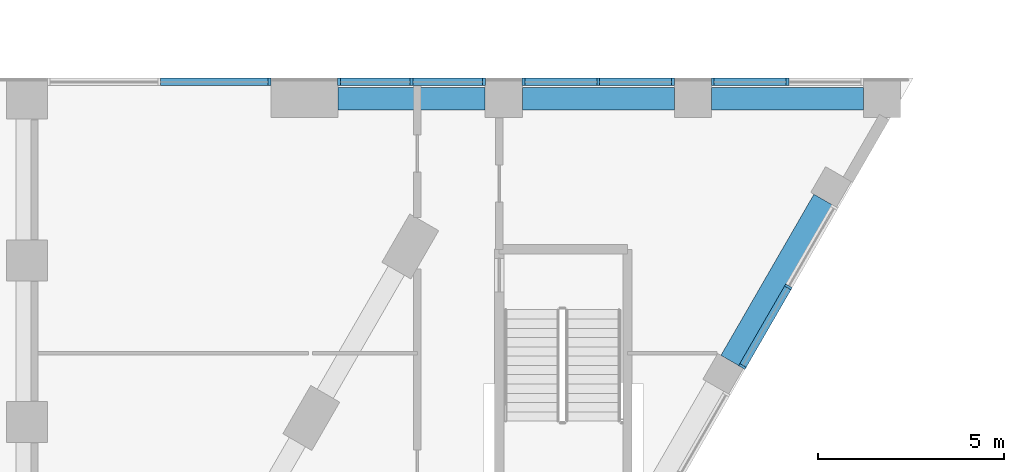
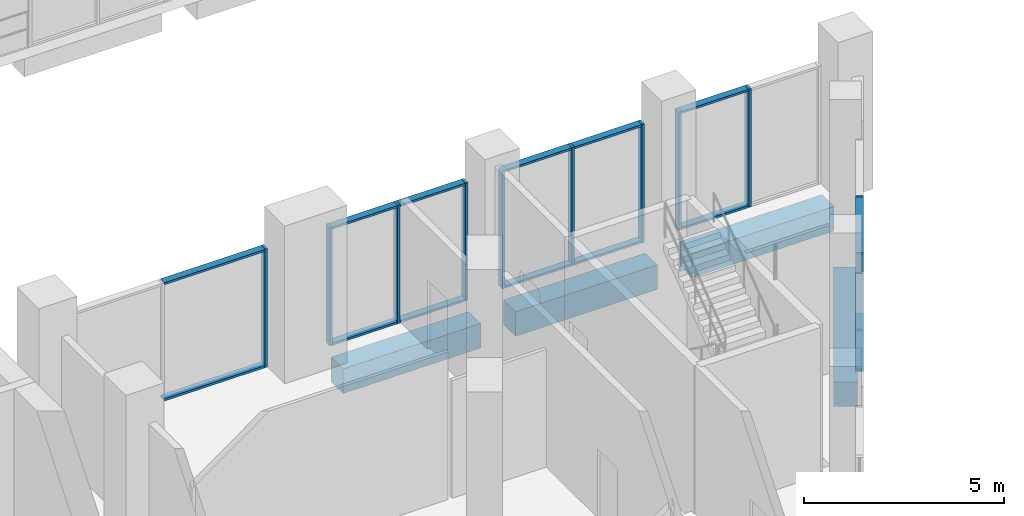
# One storey, part 4 of 45: 25 members, 4 beams, 5 elements without a shape of their own.
"""IFC4 building model written with IfcOpenShell, lengths in metres."""

import ifcopenshell
import ifcopenshell.guid

model = None  # the IFC model being written
_history = None  # IfcOwnerHistory: only IFC2X3 demands one
_inside = {}  # id of a spatial element -> (the spatial element, [elements in it])
_under = {}  # id of a project, library or spatial element -> (it, [spatial elements below it])
_declared = {}  # id of a project -> (the project, [libraries it declares])
_typed = {}  # id of a type object -> (the type object, [elements of that type])
_made_of = {}  # id of a material, layer set ... -> (it, [elements and type objects made of it])


def new_model(schema):
    """Start an empty IFC model of exactly this schema.

    Asked for "IFC4X3", IfcOpenShell would pick the latest addendum, in which some entities
    have other attributes; the version numbers below select the first issue.
    IFC2X3 requires an IfcOwnerHistory on every rooted entity: one is made here for all.
    """
    global model, _history
    if schema == "IFC4X3":
        model = ifcopenshell.file(schema_version=(4, 3, 0, 0))
    else:
        model = ifcopenshell.file(schema=schema)
    _inside.clear()
    _under.clear()
    _declared.clear()
    _typed.clear()
    _made_of.clear()
    _history = None
    if model.schema == "IFC2X3":
        org = make("IfcOrganization", Name="unknown")
        user = make(
            "IfcPersonAndOrganization",
            ThePerson=make("IfcPerson", FamilyName="unknown"),
            TheOrganization=org,
        )
        app = make(
            "IfcApplication",
            ApplicationDeveloper=org,
            Version="unknown",
            ApplicationFullName="unknown",
            ApplicationIdentifier="unknown",
        )
        _history = make(
            "IfcOwnerHistory",
            OwningUser=user,
            OwningApplication=app,
            ChangeAction="ADDED",
            CreationDate=0,
        )
    return model


def make(cls, **values):
    """One entity of the class cls with the attributes given. An attribute that is None is left unset."""
    return model.create_entity(
        cls, **{name: value for name, value in values.items() if value is not None}
    )


def rooted(cls, **values):
    """An entity with a GlobalId (a new one), such as an element, a storey or a relation."""
    return make(cls, GlobalId=ifcopenshell.guid.new(), OwnerHistory=_history, **values)


def si_unit(unit_type, name, prefix=None):
    """IfcSIUnit, for example si_unit("LENGTHUNIT", "METRE", prefix="MILLI")."""
    return make("IfcSIUnit", UnitType=unit_type, Prefix=prefix, Name=name)


def assignment(units):
    """IfcUnitAssignment: the units of a project."""
    return None if units is None else make("IfcUnitAssignment", Units=units)


def point(xyz):
    """IfcCartesianPoint."""
    return None if xyz is None else make("IfcCartesianPoint", Coordinates=xyz)


def direction(xyz):
    """IfcDirection."""
    return None if xyz is None else make("IfcDirection", DirectionRatios=xyz)


def frame(location, z_axis=None, x_axis=None):
    """IfcAxis2Placement3D, a coordinate frame: its origin and axes. An axis left out is left unset."""
    return make(
        "IfcAxis2Placement3D",
        Location=point(location),
        Axis=direction(z_axis),
        RefDirection=direction(x_axis),
    )


def frame_2d(location, x_axis=None):
    """IfcAxis2Placement2D, a coordinate frame in the plane: its origin and x axis."""
    return make(
        "IfcAxis2Placement2D", Location=point(location), RefDirection=direction(x_axis)
    )


def origin():
    """The frame at (0, 0, 0) with its axes left unset."""
    return frame((0.0, 0.0, 0.0))


def origin_2d():
    """The frame at (0, 0) in the plane with its x axis left unset."""
    return frame_2d((0.0, 0.0))


def place(relative_to, where):
    """IfcLocalPlacement: puts the frame where relative to a parent placement (None: the world)."""
    return make(
        "IfcLocalPlacement", PlacementRelTo=relative_to, RelativePlacement=where
    )


def context(
    kind, dimensions, precision=None, world=None, true_north=None, identifier=None
):
    """IfcGeometricRepresentationContext, for example the 3D "Model" context."""
    return make(
        "IfcGeometricRepresentationContext",
        ContextIdentifier=identifier,
        ContextType=kind,
        CoordinateSpaceDimension=dimensions,
        Precision=precision,
        WorldCoordinateSystem=world,
        TrueNorth=true_north,
    )


def subcontext(parent, identifier, kind, view, scale=None):
    """IfcGeometricRepresentationSubContext, for example "Body" below "Model"."""
    return make(
        "IfcGeometricRepresentationSubContext",
        ContextIdentifier=identifier,
        ContextType=kind,
        ParentContext=parent,
        TargetScale=scale,
        TargetView=view,
    )


def project(units=None, contexts=None):
    """IfcProject with its units and contexts."""
    return rooted(
        "IfcProject",
        Name="project",
        RepresentationContexts=contexts,
        UnitsInContext=assignment(units),
    )


def spatial(cls, under=None, at=None, **own):
    """A site, building, storey or space (cls), placed at a placement, below another one or the project."""
    s = rooted(cls, ObjectPlacement=at, **own)
    if under is not None:
        _under.setdefault(under.id(), (under, []))[1].append(s)
    return s


def profile(cls, at=None, kind="AREA", **sizes):
    """A parametric profile (cls). Its sizes go by their IFC names, for example OverallWidth=200.0."""
    return make(cls, ProfileType=kind, Position=at, **sizes)


def rectangle(**sizes):
    """IfcRectangleProfileDef."""
    return profile("IfcRectangleProfileDef", **sizes)


def extrude(swept, where, along, depth):
    """IfcExtrudedAreaSolid: the profile swept, set in the frame where, extruded along a direction by depth."""
    return make(
        "IfcExtrudedAreaSolid",
        SweptArea=swept,
        Position=where,
        ExtrudedDirection=direction(along),
        Depth=depth,
    )


def shape(context_of_items, identifier, shape_type, items):
    """IfcShapeRepresentation: the items that make up one representation, for example the "Body"."""
    return make(
        "IfcShapeRepresentation",
        ContextOfItems=context_of_items,
        RepresentationIdentifier=identifier,
        RepresentationType=shape_type,
        Items=items,
    )


def material(Name=None, Category=None):
    """IfcMaterial."""
    return make("IfcMaterial", Name=Name, Category=Category)


def layer(
    of_material, thickness, ventilated=None, Name=None, Category=None, Priority=None
):
    """IfcMaterialLayer: one layer of a wall or slab, of a material (None: an air gap)."""
    return make(
        "IfcMaterialLayer",
        Material=of_material,
        LayerThickness=thickness,
        IsVentilated=ventilated,
        Name=Name,
        Category=Category,
        Priority=Priority,
    )


def layer_set(layers, Name=None):
    """IfcMaterialLayerSet."""
    return make("IfcMaterialLayerSet", MaterialLayers=layers, LayerSetName=Name)


def material_profile(
    of_material, cross_section, Name=None, Category=None, Priority=None
):
    """IfcMaterialProfile: a cross section and its material."""
    return make(
        "IfcMaterialProfile",
        Name=Name,
        Material=of_material,
        Profile=cross_section,
        Priority=Priority,
        Category=Category,
    )


def profile_set(profiles, Name=None, composite=None):
    """IfcMaterialProfileSet."""
    return make(
        "IfcMaterialProfileSet",
        Name=Name,
        MaterialProfiles=profiles,
        CompositeProfile=composite,
    )


def made_of(thing, what):
    """Note that an element or type object is made of a material, layer set ...; save() writes the relation."""
    if what is not None:
        _made_of.setdefault(what.id(), (what, []))[1].append(thing)
    return thing


def type_object(cls, material=None, **own):
    """A type object (cls), such as IfcWallType, which elements share."""
    return made_of(rooted(cls, **own), material)


def element(
    cls,
    number,
    at=None,
    inside=None,
    cuts=None,
    type_object=None,
    material=None,
    context=None,
    identifier="Body",
    shape_type=None,
    held_by="IfcProductDefinitionShape",
    body=None,
    shapes=None,
    **own,
):
    """One element of the class cls, such as IfcWall. Its Tag is "e" and its number.

    at: its placement. inside: the storey or other place that contains it. cuts: it is an
    opening in that element (IfcRelVoidsElement). A single representation is given by context,
    identifier, shape_type and body (its items); several are given by shapes. held_by: the class
    of the entity that holds the representations. save() writes the other relations.
    """
    e = rooted(cls, Tag="e%d" % number, ObjectPlacement=at, **own)
    if body is not None:
        shapes = [shape(context, identifier, shape_type, body)]
    if shapes is not None:
        e.Representation = make(held_by, Representations=shapes)
    if inside is not None:
        _inside.setdefault(inside.id(), (inside, []))[1].append(e)
    if cuts is not None:
        rooted(
            "IfcRelVoidsElement", RelatingBuildingElement=cuts, RelatedOpeningElement=e
        )
    if type_object is not None:
        _typed.setdefault(type_object.id(), (type_object, []))[1].append(e)
    return made_of(e, material)


def aggregate(whole, parts):
    """IfcRelAggregates: a whole, such as a stair, and the parts it consists of."""
    return rooted("IfcRelAggregates", RelatingObject=whole, RelatedObjects=parts)


def save(model, path):
    """Write the relations noted so far, then the file.

    IfcRelAggregates (storeys below a building ...), IfcRelContainedInSpatialStructure (elements
    in a storey), IfcRelDefinesByType, IfcRelAssociatesMaterial and IfcRelDeclares: one each for
    every whole, place, type object, material and project.
    """
    for whole, parts in _under.values():
        aggregate(whole, parts)
    for where, things in _inside.values():
        rooted(
            "IfcRelContainedInSpatialStructure",
            RelatedElements=things,
            RelatingStructure=where,
        )
    for kind, things in _typed.values():
        rooted("IfcRelDefinesByType", RelatedObjects=things, RelatingType=kind)
    for what, things in _made_of.values():
        rooted("IfcRelAssociatesMaterial", RelatedObjects=things, RelatingMaterial=what)
    for by, libraries in _declared.values():
        rooted("IfcRelDeclares", RelatingContext=by, RelatedDefinitions=libraries)
    model.write(path)


model = new_model("IFC4")

# Units and contexts
model_context = context("Model", 3, precision=1e-05, world=origin(), true_north=direction((0.0, 1.0)))
body_context = subcontext(model_context, "Body", "Model", "MODEL_VIEW")
ifc_project = project(units=[si_unit("LENGTHUNIT", "METRE"), si_unit("AREAUNIT", "SQUARE_METRE"), si_unit("VOLUMEUNIT", "CUBIC_METRE"), si_unit("PLANEANGLEUNIT", "RADIAN"), si_unit("MASSUNIT", "GRAM", prefix="KILO")], contexts=[model_context])

# Site, building, storey
site_placement = place(None, origin())
site = spatial("IfcSite", under=ifc_project, at=site_placement, CompositionType="ELEMENT")
building_placement = place(site_placement, origin())
building = spatial("IfcBuilding", under=site, at=building_placement, Name="Nakaniwa Court", CompositionType="ELEMENT")
storey_placement = place(building_placement, frame((0.0, 0.0, 6.60009765625)))
storey = spatial("IfcBuildingStorey", under=building, at=storey_placement, Name="L01", CompositionType="ELEMENT", Elevation=6.60009765625)

# Beams
ifc_material_1 = material(Name="Concrete C100/115", Category="concrete")
ifc_material_profile_1 = material_profile(ifc_material_1, rectangle(XDim=0.60009765625, YDim=0.75, at=origin_2d()), Name="Concrete C100/115 RC 600x750 ring beam")
ifc_profile_set_1 = profile_set([ifc_material_profile_1], Name="Concrete C100/115")
beam_type = type_object("IfcBeamType", Name="Concrete C100/115 RC 600x750 ring beam", PredefinedType="BEAM", material=ifc_profile_set_1)
beam_1_placement = place(storey_placement, frame((108.92333984375, 64.99658203125, -0.675048828125), z_axis=(0.499997052475, 0.866027105532, 0.0), x_axis=(-0.866027105532, 0.499997052475, 0.0)))
element("IfcBeam", 1, at=beam_1_placement, inside=storey, type_object=beam_type, Name="RING BEAM", PredefinedType="BEAM", context=body_context, shape_type="SweptSolid", body=[
    extrude(rectangle(XDim=0.60009765625, YDim=0.75, at=origin_2d()), origin(), (0.0, 0.0, 1.0), 5.00244140625),
])
beam_2_placement = place(storey_placement, frame((98.35791015625, 72.050048828125, -0.675048828125), z_axis=(1.0, 0.0, 0.0), x_axis=(0.0, 1.0, 0.0)))
element("IfcBeam", 2, at=beam_2_placement, inside=storey, type_object=beam_type, Name="RING BEAM", PredefinedType="BEAM", context=body_context, shape_type="SweptSolid", body=[
    extrude(rectangle(XDim=0.60009765625, YDim=0.75, at=origin_2d()), origin(), (0.0, 0.0, 1.0), 3.965087890625),
])
beam_3_placement = place(storey_placement, frame((103.322998046875, 72.050048828125, -0.675048828125), z_axis=(1.0, 0.0, 0.0), x_axis=(0.0, 1.0, 0.0)))
element("IfcBeam", 3, at=beam_3_placement, inside=storey, type_object=beam_type, Name="RING BEAM", PredefinedType="BEAM", context=body_context, shape_type="SweptSolid", body=[
    extrude(rectangle(XDim=0.60009765625, YDim=0.75, at=origin_2d()), origin(), (0.0, 0.0, 1.0), 4.0859375),
])
beam_4_placement = place(storey_placement, frame((108.408935546875, 72.050048828125, -0.675048828125), z_axis=(1.0, 0.0, 0.0), x_axis=(0.0, 1.0, 0.0)))
element("IfcBeam", 4, at=beam_4_placement, inside=storey, type_object=beam_type, Name="RING BEAM", PredefinedType="BEAM", context=body_context, shape_type="SweptSolid", body=[
    extrude(rectangle(XDim=0.60009765625, YDim=0.75, at=origin_2d()), origin(), (0.0, 0.0, 1.0), 4.087158203125),
])

# Curtain wall, members
ifc_material_2 = material(Name="Black anodised aluminium frame with dark low-E laminated double glazing", Category="aluminium")
ifc_layer_1 = layer(ifc_material_2, 0.199951171875)
ifc_layer_set_1 = layer_set([ifc_layer_1], Name="Black anodised aluminium frame with dark low-E laminated double glazing")
curtain_wall_type_1 = type_object("IfcCurtainWallType", Name="Podium unitised curtain wall", PredefinedType="NOTDEFINED", material=ifc_layer_set_1)
curtain_wall_1_placement = place(storey_placement, origin())
curtain_wall_1 = element("IfcCurtainWall", 5, at=curtain_wall_1_placement, inside=storey, type_object=curtain_wall_type_1, Name="L01 curtain wall CW1 02", PredefinedType="NOTDEFINED")
ifc_material_3 = material(Name="Black anodised aluminium extrusion", Category="aluminium")
ifc_material_profile_2 = material_profile(ifc_material_3, rectangle(XDim=0.199951171875, YDim=0.06494140625, at=origin_2d()), Name="Podium unitised curtain wall mullion 65x200")
ifc_profile_set_2 = profile_set([ifc_material_profile_2], Name="Black anodised aluminium extrusion")
member_type_1 = type_object("IfcMemberType", Name="Podium unitised curtain wall mullion 65x200", PredefinedType="MULLION", material=ifc_profile_set_2)
member_1_placement = place(storey_placement, frame((109.24072265625, 64.846435546875, 0.0), z_axis=(0.0, 0.0, 1.0), x_axis=(-0.866023723106, 0.500002911009, 0.0)))
member_1 = element("IfcMember", 6, at=member_1_placement, type_object=member_type_1, Name="CW1 mullion 1", PredefinedType="MULLION", context=body_context, shape_type="SweptSolid", body=[
    extrude(rectangle(XDim=0.199951171875, YDim=0.06494140625, at=origin_2d()), origin(), (0.0, 0.0, 1.0), 3.599853515625),
])
member_2_placement = place(storey_placement, frame((110.47705078125, 66.98779296875, 0.0), z_axis=(0.0, 0.0, 1.0), x_axis=(-0.866023723106, 0.500002911009, 0.0)))
member_2 = element("IfcMember", 7, at=member_2_placement, type_object=member_type_1, Name="CW1 mullion 2", PredefinedType="MULLION", context=body_context, shape_type="SweptSolid", body=[
    extrude(rectangle(XDim=0.199951171875, YDim=0.06494140625, at=origin_2d()), origin(), (0.0, 0.0, 1.0), 3.599853515625),
])
ifc_material_profile_3 = material_profile(ifc_material_3, rectangle(XDim=0.199951171875, YDim=0.050048828125, at=origin_2d()), Name="Podium unitised curtain wall transom 50x200")
ifc_profile_set_3 = profile_set([ifc_material_profile_3], Name="Black anodised aluminium extrusion")
member_type_2 = type_object("IfcMemberType", Name="Podium unitised curtain wall transom 50x200", PredefinedType="USERDEFINED", material=ifc_profile_set_3)
member_3_placement = place(storey_placement, frame((109.2568359375, 64.87451171875, 0.02490234375), z_axis=(0.499988695522, 0.866031930329, 0.0), x_axis=(-0.866031930329, 0.499988695522, 0.0)))
member_3 = element("IfcMember", 8, at=member_3_placement, type_object=member_type_2, Name="CW1 transom 1.1", ObjectType="TRANSOM", PredefinedType="USERDEFINED", context=body_context, shape_type="SweptSolid", body=[
    extrude(rectangle(XDim=0.199951171875, YDim=0.050048828125, at=origin_2d()), origin(), (0.0, 0.0, 1.0), 2.40771484375),
])
member_4_placement = place(storey_placement, frame((109.2568359375, 64.87451171875, 3.574951171875), z_axis=(0.499988695522, 0.866031930329, 0.0), x_axis=(-0.866031930329, 0.499988695522, 0.0)))
member_4 = element("IfcMember", 9, at=member_4_placement, type_object=member_type_2, Name="CW1 transom 1.2", ObjectType="TRANSOM", PredefinedType="USERDEFINED", context=body_context, shape_type="SweptSolid", body=[
    extrude(rectangle(XDim=0.199951171875, YDim=0.050048828125, at=origin_2d()), origin(), (0.0, 0.0, 1.0), 2.40771484375),
])
aggregate(curtain_wall_1, [member_1, member_2, member_3, member_4])

ifc_layer_2 = layer(ifc_material_2, 0.199951171875)
ifc_layer_set_2 = layer_set([ifc_layer_2], Name="Black anodised aluminium frame with dark low-E laminated double glazing")
curtain_wall_type_2 = type_object("IfcCurtainWallType", Name="Portal side curtain wall", PredefinedType="NOTDEFINED", material=ifc_layer_set_2)
curtain_wall_2_placement = place(storey_placement, origin())
curtain_wall_2 = element("IfcCurtainWall", 10, at=curtain_wall_2_placement, inside=storey, type_object=curtain_wall_type_2, Name="L01 curtain wall CW5 04", PredefinedType="NOTDEFINED")
ifc_material_profile_4 = material_profile(ifc_material_3, rectangle(XDim=0.199951171875, YDim=0.074951171875, at=origin_2d()), Name="Portal side curtain wall mullion 75x200")
ifc_profile_set_4 = profile_set([ifc_material_profile_4], Name="Black anodised aluminium extrusion")
member_type_3 = type_object("IfcMemberType", Name="Portal side curtain wall mullion 75x200", PredefinedType="MULLION", material=ifc_profile_set_4)
member_5_placement = place(storey_placement, frame((110.452392578125, 72.5, 0.0), z_axis=(0.0, 0.0, 1.0), x_axis=(0.0, -1.0, 0.0)))
member_5 = element("IfcMember", 11, at=member_5_placement, type_object=member_type_3, Name="CW5 mullion 2", PredefinedType="MULLION", context=body_context, shape_type="SweptSolid", body=[
    extrude(rectangle(XDim=0.199951171875, YDim=0.074951171875, at=origin_2d()), origin(), (0.0, 0.0, 1.0), 3.599853515625),
])
member_6_placement = place(storey_placement, frame((108.4423828125, 72.5, 0.0), z_axis=(0.0, 0.0, 1.0), x_axis=(0.0, -1.0, 0.0)))
member_6 = element("IfcMember", 12, at=member_6_placement, type_object=member_type_3, Name="CW5 mullion 3", PredefinedType="MULLION", context=body_context, shape_type="SweptSolid", body=[
    extrude(rectangle(XDim=0.199951171875, YDim=0.074951171875, at=origin_2d()), origin(), (0.0, 0.0, 1.0), 3.599853515625),
])

curtain_wall_3_placement = place(storey_placement, origin())
curtain_wall_3 = element("IfcCurtainWall", 13, at=curtain_wall_3_placement, inside=storey, type_object=curtain_wall_type_2, Name="L01 curtain wall CW5 05", PredefinedType="NOTDEFINED")
member_7_placement = place(storey_placement, frame((107.37548828125, 72.5, 0.0), z_axis=(0.0, 0.0, 1.0), x_axis=(0.0, -1.0, 0.0)))
member_7 = element("IfcMember", 14, at=member_7_placement, type_object=member_type_3, Name="CW5 mullion 1", PredefinedType="MULLION", context=body_context, shape_type="SweptSolid", body=[
    extrude(rectangle(XDim=0.199951171875, YDim=0.074951171875, at=origin_2d()), origin(), (0.0, 0.0, 1.0), 3.599853515625),
])
member_8_placement = place(storey_placement, frame((105.365966796875, 72.5, 0.0), z_axis=(0.0, 0.0, 1.0), x_axis=(0.0, -1.0, 0.0)))
member_8 = element("IfcMember", 15, at=member_8_placement, type_object=member_type_3, Name="CW5 mullion 2", PredefinedType="MULLION", context=body_context, shape_type="SweptSolid", body=[
    extrude(rectangle(XDim=0.199951171875, YDim=0.074951171875, at=origin_2d()), origin(), (0.0, 0.0, 1.0), 3.599853515625),
])
member_9_placement = place(storey_placement, frame((103.3564453125, 72.5, 0.0), z_axis=(0.0, 0.0, 1.0), x_axis=(0.0, -1.0, 0.0)))
member_9 = element("IfcMember", 16, at=member_9_placement, type_object=member_type_3, Name="CW5 mullion 3", PredefinedType="MULLION", context=body_context, shape_type="SweptSolid", body=[
    extrude(rectangle(XDim=0.199951171875, YDim=0.074951171875, at=origin_2d()), origin(), (0.0, 0.0, 1.0), 3.599853515625),
])

curtain_wall_4_placement = place(storey_placement, origin())
curtain_wall_4 = element("IfcCurtainWall", 17, at=curtain_wall_4_placement, inside=storey, type_object=curtain_wall_type_2, Name="L01 curtain wall CW5 06", PredefinedType="NOTDEFINED")
member_10_placement = place(storey_placement, frame((102.28955078125, 72.5, 0.0), z_axis=(0.0, 0.0, 1.0), x_axis=(0.0, -1.0, 0.0)))
member_10 = element("IfcMember", 18, at=member_10_placement, type_object=member_type_3, Name="CW5 mullion 1", PredefinedType="MULLION", context=body_context, shape_type="SweptSolid", body=[
    extrude(rectangle(XDim=0.199951171875, YDim=0.074951171875, at=origin_2d()), origin(), (0.0, 0.0, 1.0), 3.599853515625),
])
member_11_placement = place(storey_placement, frame((100.340576171875, 72.5, 0.0), z_axis=(0.0, 0.0, 1.0), x_axis=(0.0, -1.0, 0.0)))
member_11 = element("IfcMember", 19, at=member_11_placement, type_object=member_type_3, Name="CW5 mullion 2", PredefinedType="MULLION", context=body_context, shape_type="SweptSolid", body=[
    extrude(rectangle(XDim=0.199951171875, YDim=0.074951171875, at=origin_2d()), origin(), (0.0, 0.0, 1.0), 3.599853515625),
])
member_12_placement = place(storey_placement, frame((98.3916015625, 72.5, 0.0), z_axis=(0.0, 0.0, 1.0), x_axis=(0.0, -1.0, 0.0)))
member_12 = element("IfcMember", 20, at=member_12_placement, type_object=member_type_3, Name="CW5 mullion 3", PredefinedType="MULLION", context=body_context, shape_type="SweptSolid", body=[
    extrude(rectangle(XDim=0.199951171875, YDim=0.074951171875, at=origin_2d()), origin(), (0.0, 0.0, 1.0), 3.599853515625),
])

# Curtain wall, member
curtain_wall_5_placement = place(storey_placement, origin())
curtain_wall_5 = element("IfcCurtainWall", 21, at=curtain_wall_5_placement, inside=storey, type_object=curtain_wall_type_2, Name="L01 curtain wall CW5 07", PredefinedType="NOTDEFINED")
member_13_placement = place(storey_placement, frame((96.5244140625, 72.5, 0.0), z_axis=(0.0, 0.0, 1.0), x_axis=(0.0, -1.0, 0.0)))
member_13 = element("IfcMember", 22, at=member_13_placement, type_object=member_type_3, Name="CW5 mullion 1", PredefinedType="MULLION", context=body_context, shape_type="SweptSolid", body=[
    extrude(rectangle(XDim=0.199951171875, YDim=0.074951171875, at=origin_2d()), origin(), (0.0, 0.0, 1.0), 3.599853515625),
])

# Member
ifc_material_profile_5 = material_profile(ifc_material_3, rectangle(XDim=0.199951171875, YDim=0.06494140625, at=origin_2d()), Name="Portal side curtain wall transom 65x200")
ifc_profile_set_5 = profile_set([ifc_material_profile_5], Name="Black anodised aluminium extrusion")
member_type_4 = type_object("IfcMemberType", Name="Portal side curtain wall transom 65x200", PredefinedType="USERDEFINED", material=ifc_profile_set_5)
member_14_placement = place(storey_placement, frame((110.4150390625, 72.5, 0.032470703125), z_axis=(-1.0, 0.0, 0.0), x_axis=(0.0, -1.0, 0.0)))
member_14 = element("IfcMember", 23, at=member_14_placement, type_object=member_type_4, Name="CW5 transom 2.1", ObjectType="TRANSOM", PredefinedType="USERDEFINED", context=body_context, shape_type="SweptSolid", body=[
    extrude(rectangle(XDim=0.199951171875, YDim=0.06494140625, at=origin_2d()), origin(), (0.0, 0.0, 1.0), 1.93505859375),
])

member_15_placement = place(storey_placement, frame((110.4150390625, 72.5, 3.5673828125), z_axis=(-1.0, 0.0, 0.0), x_axis=(0.0, -1.0, 0.0)))
member_15 = element("IfcMember", 24, at=member_15_placement, type_object=member_type_4, Name="CW5 transom 2.2", ObjectType="TRANSOM", PredefinedType="USERDEFINED", context=body_context, shape_type="SweptSolid", body=[
    extrude(rectangle(XDim=0.199951171875, YDim=0.06494140625, at=origin_2d()), origin(), (0.0, 0.0, 1.0), 1.93505859375),
])

aggregate(curtain_wall_2, [member_5, member_6, member_14, member_15])

member_16_placement = place(storey_placement, frame((107.337890625, 72.5, 0.032470703125), z_axis=(-1.0, 0.0, 0.0), x_axis=(0.0, -1.0, 0.0)))
member_16 = element("IfcMember", 25, at=member_16_placement, type_object=member_type_4, Name="CW5 transom 1.1", ObjectType="TRANSOM", PredefinedType="USERDEFINED", context=body_context, shape_type="SweptSolid", body=[
    extrude(rectangle(XDim=0.199951171875, YDim=0.06494140625, at=origin_2d()), origin(), (0.0, 0.0, 1.0), 1.934326171875),
])

member_17_placement = place(storey_placement, frame((107.337890625, 72.5, 3.5673828125), z_axis=(-1.0, 0.0, 0.0), x_axis=(0.0, -1.0, 0.0)))
member_17 = element("IfcMember", 26, at=member_17_placement, type_object=member_type_4, Name="CW5 transom 1.2", ObjectType="TRANSOM", PredefinedType="USERDEFINED", context=body_context, shape_type="SweptSolid", body=[
    extrude(rectangle(XDim=0.199951171875, YDim=0.06494140625, at=origin_2d()), origin(), (0.0, 0.0, 1.0), 1.934326171875),
])

member_18_placement = place(storey_placement, frame((105.32861328125, 72.5, 0.032470703125), z_axis=(-1.0, 0.0, 0.0), x_axis=(0.0, -1.0, 0.0)))
member_18 = element("IfcMember", 27, at=member_18_placement, type_object=member_type_4, Name="CW5 transom 2.1", ObjectType="TRANSOM", PredefinedType="USERDEFINED", context=body_context, shape_type="SweptSolid", body=[
    extrude(rectangle(XDim=0.199951171875, YDim=0.06494140625, at=origin_2d()), origin(), (0.0, 0.0, 1.0), 1.9345703125),
])

member_19_placement = place(storey_placement, frame((105.32861328125, 72.5, 3.5673828125), z_axis=(-1.0, 0.0, 0.0), x_axis=(0.0, -1.0, 0.0)))
member_19 = element("IfcMember", 28, at=member_19_placement, type_object=member_type_4, Name="CW5 transom 2.2", ObjectType="TRANSOM", PredefinedType="USERDEFINED", context=body_context, shape_type="SweptSolid", body=[
    extrude(rectangle(XDim=0.199951171875, YDim=0.06494140625, at=origin_2d()), origin(), (0.0, 0.0, 1.0), 1.9345703125),
])

aggregate(curtain_wall_3, [member_7, member_8, member_9, member_16, member_17, member_18, member_19])

member_20_placement = place(storey_placement, frame((102.251953125, 72.5, 0.032470703125), z_axis=(-1.0, 0.0, 0.0), x_axis=(0.0, -1.0, 0.0)))
member_20 = element("IfcMember", 29, at=member_20_placement, type_object=member_type_4, Name="CW5 transom 1.1", ObjectType="TRANSOM", PredefinedType="USERDEFINED", context=body_context, shape_type="SweptSolid", body=[
    extrude(rectangle(XDim=0.199951171875, YDim=0.06494140625, at=origin_2d()), origin(), (0.0, 0.0, 1.0), 1.8740234375),
])

member_21_placement = place(storey_placement, frame((102.251953125, 72.5, 3.5673828125), z_axis=(-1.0, 0.0, 0.0), x_axis=(0.0, -1.0, 0.0)))
member_21 = element("IfcMember", 30, at=member_21_placement, type_object=member_type_4, Name="CW5 transom 1.2", ObjectType="TRANSOM", PredefinedType="USERDEFINED", context=body_context, shape_type="SweptSolid", body=[
    extrude(rectangle(XDim=0.199951171875, YDim=0.06494140625, at=origin_2d()), origin(), (0.0, 0.0, 1.0), 1.8740234375),
])

member_22_placement = place(storey_placement, frame((100.302978515625, 72.5, 0.032470703125), z_axis=(-1.0, 0.0, 0.0), x_axis=(0.0, -1.0, 0.0)))
member_22 = element("IfcMember", 31, at=member_22_placement, type_object=member_type_4, Name="CW5 transom 2.1", ObjectType="TRANSOM", PredefinedType="USERDEFINED", context=body_context, shape_type="SweptSolid", body=[
    extrude(rectangle(XDim=0.199951171875, YDim=0.06494140625, at=origin_2d()), origin(), (0.0, 0.0, 1.0), 1.8740234375),
])

member_23_placement = place(storey_placement, frame((100.302978515625, 72.5, 3.5673828125), z_axis=(-1.0, 0.0, 0.0), x_axis=(0.0, -1.0, 0.0)))
member_23 = element("IfcMember", 32, at=member_23_placement, type_object=member_type_4, Name="CW5 transom 2.2", ObjectType="TRANSOM", PredefinedType="USERDEFINED", context=body_context, shape_type="SweptSolid", body=[
    extrude(rectangle(XDim=0.199951171875, YDim=0.06494140625, at=origin_2d()), origin(), (0.0, 0.0, 1.0), 1.8740234375),
])

aggregate(curtain_wall_4, [member_10, member_11, member_12, member_20, member_21, member_22, member_23])

member_24_placement = place(storey_placement, frame((96.487060546875, 72.5, 0.032470703125), z_axis=(-1.0, 0.0, 0.0), x_axis=(0.0, -1.0, 0.0)))
member_24 = element("IfcMember", 33, at=member_24_placement, type_object=member_type_4, Name="CW5 transom 1.1", ObjectType="TRANSOM", PredefinedType="USERDEFINED", context=body_context, shape_type="SweptSolid", body=[
    extrude(rectangle(XDim=0.199951171875, YDim=0.06494140625, at=origin_2d()), origin(), (0.0, 0.0, 1.0), 2.8955078125),
])

member_25_placement = place(storey_placement, frame((96.487060546875, 72.5, 3.5673828125), z_axis=(-1.0, 0.0, 0.0), x_axis=(0.0, -1.0, 0.0)))
member_25 = element("IfcMember", 34, at=member_25_placement, type_object=member_type_4, Name="CW5 transom 1.2", ObjectType="TRANSOM", PredefinedType="USERDEFINED", context=body_context, shape_type="SweptSolid", body=[
    extrude(rectangle(XDim=0.199951171875, YDim=0.06494140625, at=origin_2d()), origin(), (0.0, 0.0, 1.0), 2.8955078125),
])

aggregate(curtain_wall_5, [member_13, member_24, member_25])

save(model, "model.ifc")
